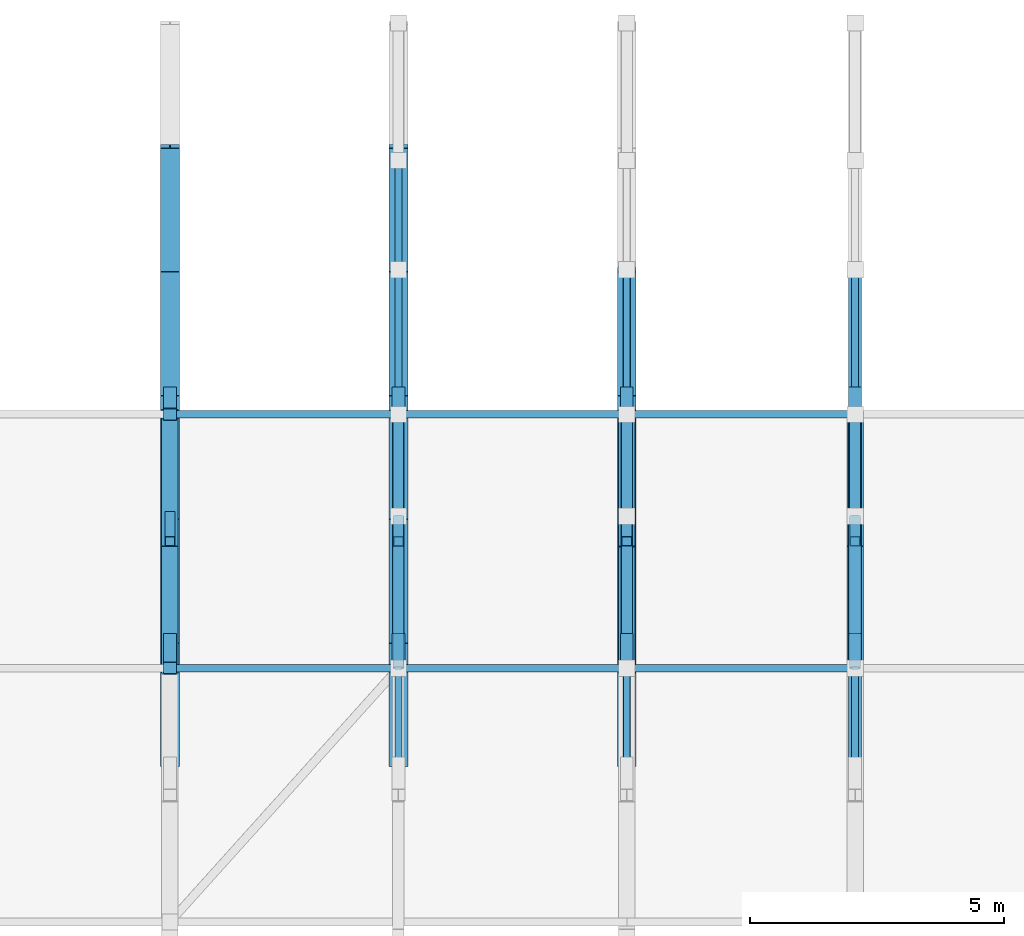
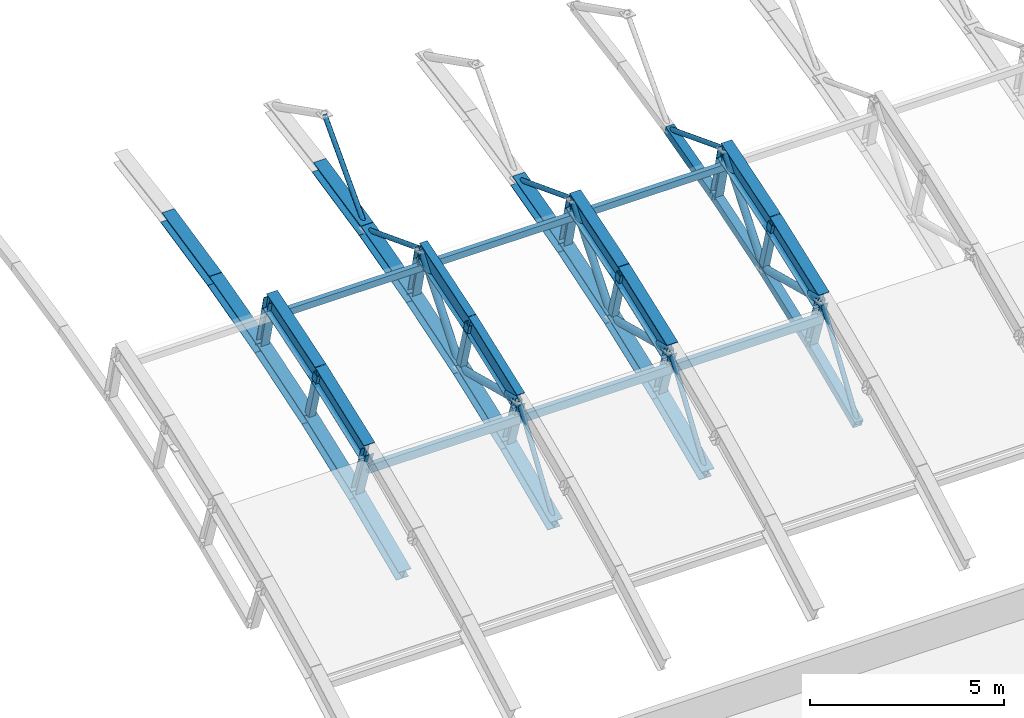
# One storey, part 32 of 103: 49 members, 8 beams.
"""IFC4 building model written with IfcOpenShell, lengths in metres."""

from ifc_helpers import new_model, si_unit, direction, frame, origin, origin_2d, place, context, subcontext, project, spatial, hollow_rectangle, hollow_circle, i_section, extrude, material, material_profile, profile_set, type_object, element, save


model = new_model("IFC4")

# Units and contexts
model_context = context("Model", 3, precision=1e-05, world=origin(), true_north=direction((0.0, 1.0)))
body_context = subcontext(model_context, "Body", "Model", "MODEL_VIEW")
ifc_project = project(units=[si_unit("LENGTHUNIT", "METRE"), si_unit("AREAUNIT", "SQUARE_METRE"), si_unit("VOLUMEUNIT", "CUBIC_METRE"), si_unit("PLANEANGLEUNIT", "RADIAN"), si_unit("MASSUNIT", "GRAM", prefix="KILO")], contexts=[model_context])

# Site, building, storey
site_placement = place(None, origin())
site = spatial("IfcSite", under=ifc_project, at=site_placement, CompositionType="ELEMENT")
building_placement = place(site_placement, origin())
building = spatial("IfcBuilding", under=site, at=building_placement, Name="Cazmaro Siding Exhibition Halls", CompositionType="ELEMENT")
storey_placement = place(building_placement, frame((0.0, 0.0, 16.5)))
storey = spatial("IfcBuildingStorey", under=building, at=storey_placement, Name="L03", CompositionType="ELEMENT", Elevation=16.5)

# Beams
ifc_material_1 = material(Name="Steel ASTM A992 Grade 50", Category="steel")
ifc_material_profile_1 = material_profile(ifc_material_1, i_section(OverallWidth=0.327880859375, OverallDepth=0.626953125, WebThickness=0.01708984375, FlangeThickness=0.028076171875, at=origin_2d()), Name="W24X146")
ifc_profile_set_1 = profile_set([ifc_material_profile_1], Name="Steel ASTM A992 Grade 50")
beam_type_1 = type_object("IfcBeamType", Name="AR-01", PredefinedType="USERDEFINED", material=ifc_profile_set_1)
beam_1_placement = place(storey_placement, frame((58.5, 74.0, 3.1220703125), z_axis=(0.0, 0.936509460339, 0.350642311615), x_axis=(-1.0, 0.0, 0.0)))
element("IfcBeam", 1, at=beam_1_placement, inside=storey, type_object=beam_type_1, Name="Space frame barrel vault arched rib AR-01 BM-0611", ObjectType="ARCHED RIB", PredefinedType="USERDEFINED", context=body_context, shape_type="SweptSolid", body=[
    extrude(i_section(OverallWidth=0.327880859375, OverallDepth=0.626953125, WebThickness=0.01708984375, FlangeThickness=0.028076171875, at=origin_2d()), origin(), (0.0, 0.0, 1.0), 2.66943359375),
])
beam_2_placement = place(storey_placement, frame((58.5, 76.5, 4.05810546875), z_axis=(0.0, 0.952769241759, 0.303695195811), x_axis=(-1.0, 0.0, 0.0)))
element("IfcBeam", 2, at=beam_2_placement, inside=storey, type_object=beam_type_1, Name="Space frame barrel vault arched rib AR-01 BM-0612", ObjectType="ARCHED RIB", PredefinedType="USERDEFINED", context=body_context, shape_type="SweptSolid", body=[
    extrude(i_section(OverallWidth=0.327880859375, OverallDepth=0.626953125, WebThickness=0.01708984375, FlangeThickness=0.028076171875, at=origin_2d()), origin(), (0.0, 0.0, 1.0), 2.6240234375),
])
ifc_material_2 = material(Name="Steel ASTM A992 Grade 50", Category="steel")
ifc_material_profile_2 = material_profile(ifc_material_2, i_section(OverallWidth=0.324951171875, OverallDepth=0.612060546875, WebThickness=0.012939453125, FlangeThickness=0.01904296875, at=origin_2d()), Name="W24X104")
ifc_profile_set_2 = profile_set([ifc_material_profile_2], Name="Steel ASTM A992 Grade 50")
beam_type_2 = type_object("IfcBeamType", Name="AR-02", PredefinedType="USERDEFINED", material=ifc_profile_set_2)
beam_3_placement = place(storey_placement, frame((49.5, 74.0, 3.1220703125), z_axis=(0.0, 0.936509460339, 0.350642311615), x_axis=(-1.0, 0.0, 0.0)))
element("IfcBeam", 3, at=beam_3_placement, inside=storey, type_object=beam_type_2, Name="Space frame barrel vault arched rib AR-02 BM-0563", ObjectType="ARCHED RIB", PredefinedType="USERDEFINED", context=body_context, shape_type="SweptSolid", body=[
    extrude(i_section(OverallWidth=0.324951171875, OverallDepth=0.612060546875, WebThickness=0.012939453125, FlangeThickness=0.01904296875, at=origin_2d()), origin(), (0.0, 0.0, 1.0), 2.66943359375),
])
beam_4_placement = place(storey_placement, frame((49.5, 76.5, 4.05810546875), z_axis=(0.0, 0.952769241759, 0.303695195811), x_axis=(-1.0, 0.0, 0.0)))
element("IfcBeam", 4, at=beam_4_placement, inside=storey, type_object=beam_type_2, Name="Space frame barrel vault arched rib AR-02 BM-0564", ObjectType="ARCHED RIB", PredefinedType="USERDEFINED", context=body_context, shape_type="SweptSolid", body=[
    extrude(i_section(OverallWidth=0.324951171875, OverallDepth=0.612060546875, WebThickness=0.012939453125, FlangeThickness=0.01904296875, at=origin_2d()), origin(), (0.0, 0.0, 1.0), 2.6240234375),
])
beam_5_placement = place(storey_placement, frame((63.0, 74.0, 3.1220703125), z_axis=(0.0, 0.936509460339, 0.350642311615), x_axis=(-1.0, 0.0, 0.0)))
element("IfcBeam", 5, at=beam_5_placement, inside=storey, type_object=beam_type_2, Name="Space frame barrel vault arched rib AR-02 BM-0635", ObjectType="ARCHED RIB", PredefinedType="USERDEFINED", context=body_context, shape_type="SweptSolid", body=[
    extrude(i_section(OverallWidth=0.324951171875, OverallDepth=0.612060546875, WebThickness=0.012939453125, FlangeThickness=0.01904296875, at=origin_2d()), origin(), (0.0, 0.0, 1.0), 2.66943359375),
])
beam_6_placement = place(storey_placement, frame((63.0, 76.5, 4.05810546875), z_axis=(0.0, 0.952769241759, 0.303695195811), x_axis=(-1.0, 0.0, 0.0)))
element("IfcBeam", 6, at=beam_6_placement, inside=storey, type_object=beam_type_2, Name="Space frame barrel vault arched rib AR-02 BM-0636", ObjectType="ARCHED RIB", PredefinedType="USERDEFINED", context=body_context, shape_type="SweptSolid", body=[
    extrude(i_section(OverallWidth=0.324951171875, OverallDepth=0.612060546875, WebThickness=0.012939453125, FlangeThickness=0.01904296875, at=origin_2d()), origin(), (0.0, 0.0, 1.0), 2.6240234375),
])
ifc_material_3 = material(Name="Steel ASTM A992 Grade 50", Category="steel")
ifc_material_profile_3 = material_profile(ifc_material_3, i_section(OverallWidth=0.22900390625, OverallDepth=0.612060546875, WebThickness=0.011962890625, FlangeThickness=0.02001953125, at=origin_2d()), Name="W24X84")
ifc_profile_set_3 = profile_set([ifc_material_profile_3], Name="Steel ASTM A992 Grade 50")
beam_type_3 = type_object("IfcBeamType", Name="AR-03", PredefinedType="USERDEFINED", material=ifc_profile_set_3)
beam_7_placement = place(storey_placement, frame((54.0, 74.0, 3.1220703125), z_axis=(0.0, 0.936509460339, 0.350642311615), x_axis=(-1.0, 0.0, 0.0)))
element("IfcBeam", 7, at=beam_7_placement, inside=storey, type_object=beam_type_3, Name="Space frame barrel vault arched rib AR-03 BM-0587", ObjectType="ARCHED RIB", PredefinedType="USERDEFINED", context=body_context, shape_type="SweptSolid", body=[
    extrude(i_section(OverallWidth=0.22900390625, OverallDepth=0.612060546875, WebThickness=0.011962890625, FlangeThickness=0.02001953125, at=origin_2d()), origin(), (0.0, 0.0, 1.0), 2.66943359375),
])
beam_8_placement = place(storey_placement, frame((54.0, 76.5, 4.05810546875), z_axis=(0.0, 0.952769241759, 0.303695195811), x_axis=(-1.0, 0.0, 0.0)))
element("IfcBeam", 8, at=beam_8_placement, inside=storey, type_object=beam_type_3, Name="Space frame barrel vault arched rib AR-03 BM-0588", ObjectType="ARCHED RIB", PredefinedType="USERDEFINED", context=body_context, shape_type="SweptSolid", body=[
    extrude(i_section(OverallWidth=0.22900390625, OverallDepth=0.612060546875, WebThickness=0.011962890625, FlangeThickness=0.02001953125, at=origin_2d()), origin(), (0.0, 0.0, 1.0), 2.6240234375),
])

# Members
ifc_material_4 = material(Name="Steel ASTM A500 Grade C", Category="steel")
ifc_material_profile_4 = material_profile(ifc_material_4, hollow_rectangle(XDim=0.152099609375, YDim=0.202880859375, WallThickness=0.011962890625, at=origin_2d()), Name="HSS8X6X1/2")
ifc_profile_set_4 = profile_set([ifc_material_profile_4], Name="Steel ASTM A500 Grade C")
member_type_1 = type_object("IfcMemberType", Name="RP-01", PredefinedType="PURLIN", material=ifc_profile_set_4)
for number, where, z_axis, x_axis, name in (
    (9, (49.5, 79.0, 4.31494140625), (1.0, 0.0, 0.0), (0.0, 1.0, 0.0), "Space frame barrel vault purlin RP-01 MEM-1977"),
    (10, (54.0, 79.0, 4.31494140625), (1.0, 0.0, 0.0), (0.0, 1.0, 0.0), "Space frame barrel vault purlin RP-01 MEM-1994"),
    (11, (58.5, 79.0, 4.31494140625), (1.0, 0.0, 0.0), (0.0, 1.0, 0.0), "Space frame barrel vault purlin RP-01 MEM-2005"),
):
    element("IfcMember", number, at=place(storey_placement, frame(where, z_axis=z_axis, x_axis=x_axis)), inside=storey, type_object=member_type_1, Name=name, PredefinedType="PURLIN", context=body_context, shape_type="SweptSolid", body=[
        extrude(hollow_rectangle(XDim=0.152099609375, YDim=0.202880859375, WallThickness=0.011962890625, at=origin_2d()), origin(), (0.0, 0.0, 1.0), 4.5),
    ])
ifc_material_5 = material(Name="Steel ASTM A500 Grade C", Category="steel")
ifc_material_profile_5 = material_profile(ifc_material_5, hollow_rectangle(XDim=0.152099609375, YDim=0.25390625, WallThickness=0.011962890625, at=origin_2d()), Name="HSS10X6X1/2")
ifc_profile_set_5 = profile_set([ifc_material_profile_5], Name="Steel ASTM A500 Grade C")
member_type_2 = type_object("IfcMemberType", Name="RP-04", PredefinedType="PURLIN", material=ifc_profile_set_5)
for number, where, z_axis, x_axis, name in (
    (12, (49.5, 74.0, 2.58203125), (1.0, 0.0, 0.0), (0.0, 1.0, 0.0), "Space frame barrel vault purlin RP-04 MEM-1976"),
    (13, (54.0, 74.0, 2.58203125), (1.0, 0.0, 0.0), (0.0, 1.0, 0.0), "Space frame barrel vault purlin RP-04 MEM-1993"),
    (14, (58.5, 74.0, 2.58203125), (1.0, 0.0, 0.0), (0.0, 1.0, 0.0), "Space frame barrel vault purlin RP-04 MEM-2004"),
):
    element("IfcMember", number, at=place(storey_placement, frame(where, z_axis=z_axis, x_axis=x_axis)), inside=storey, type_object=member_type_2, Name=name, PredefinedType="PURLIN", context=body_context, shape_type="SweptSolid", body=[
        extrude(hollow_rectangle(XDim=0.152099609375, YDim=0.25390625, WallThickness=0.011962890625, at=origin_2d()), origin(), (0.0, 0.0, 1.0), 4.5),
    ])
ifc_material_6 = material(Name="Steel ASTM A500 Grade C", Category="steel")
ifc_material_profile_6 = material_profile(ifc_material_6, hollow_rectangle(XDim=0.25390625, YDim=0.25390625, WallThickness=0.014892578125, at=origin_2d()), Name="HSS10X10X5/8")
ifc_profile_set_6 = profile_set([ifc_material_profile_6], Name="Steel ASTM A500 Grade C")
member_type_3 = type_object("IfcMemberType", Name="TC-01", PredefinedType="CHORD", material=ifc_profile_set_6)
member_1_placement = place(storey_placement, frame((63.0, 72.131103515625, 0.37890625), z_axis=(0.0, 0.917689003843, 0.397299499403), x_axis=(-1.0, 0.0, 0.0)))
element("IfcMember", 15, at=member_1_placement, inside=storey, type_object=member_type_3, Name="Space frame barrel vault bottom chord TC-01 MEM-0243", PredefinedType="CHORD", context=body_context, shape_type="SweptSolid", body=[
    extrude(hollow_rectangle(XDim=0.25390625, YDim=0.25390625, WallThickness=0.014892578125, at=origin_2d()), origin(), (0.0, 0.0, 1.0), 2.64794921875),
])
member_2_placement = place(storey_placement, frame((63.0, 74.56103515625, 1.430908203125), z_axis=(0.0, 0.936588022869, 0.350432412053), x_axis=(-1.0, 0.0, 0.0)))
element("IfcMember", 16, at=member_2_placement, inside=storey, type_object=member_type_3, Name="Space frame barrel vault bottom chord TC-01 MEM-0245", PredefinedType="CHORD", context=body_context, shape_type="SweptSolid", body=[
    extrude(hollow_rectangle(XDim=0.25390625, YDim=0.25390625, WallThickness=0.014892578125, at=origin_2d()), origin(), (0.0, 0.0, 1.0), 2.594482421875),
])
member_3_placement = place(storey_placement, frame((63.0, 76.990966796875, 2.340087890625), z_axis=(0.0, 0.952692842525, 0.303934775573), x_axis=(-1.0, 0.0, 0.0)))
element("IfcMember", 17, at=member_3_placement, inside=storey, type_object=member_type_3, Name="Space frame barrel vault bottom chord TC-01 MEM-0247", PredefinedType="CHORD", context=body_context, shape_type="SweptSolid", body=[
    extrude(hollow_rectangle(XDim=0.25390625, YDim=0.25390625, WallThickness=0.014892578125, at=origin_2d()), origin(), (0.0, 0.0, 1.0), 2.549560546875),
])
member_4_placement = place(storey_placement, frame((63.0, 79.419921875, 3.114990234375), z_axis=(0.0, 0.966437683387, 0.256901156343), x_axis=(-1.0, 0.0, 0.0)))
element("IfcMember", 18, at=member_4_placement, inside=storey, type_object=member_type_3, Name="Space frame barrel vault bottom chord TC-01 MEM-0249", PredefinedType="CHORD", context=body_context, shape_type="SweptSolid", body=[
    extrude(hollow_rectangle(XDim=0.25390625, YDim=0.25390625, WallThickness=0.014892578125, at=origin_2d()), origin(), (0.0, 0.0, 1.0), 2.5146484375),
])
ifc_material_7 = material(Name="Steel ASTM A992 Grade 50", Category="steel")
ifc_material_profile_7 = material_profile(ifc_material_7, i_section(OverallWidth=0.37109375, OverallDepth=0.364013671875, WebThickness=0.012939453125, FlangeThickness=0.02197265625, at=origin_2d()), Name="W14X109")
ifc_profile_set_7 = profile_set([ifc_material_profile_7], Name="Steel ASTM A992 Grade 50")
member_type_4 = type_object("IfcMemberType", Name="TC-06", PredefinedType="CHORD", material=ifc_profile_set_7)
member_5_placement = place(storey_placement, frame((49.5, 72.131103515625, 0.37890625), z_axis=(0.0, 0.917689003843, 0.397299499403), x_axis=(-1.0, 0.0, 0.0)))
element("IfcMember", 19, at=member_5_placement, inside=storey, type_object=member_type_4, Name="Space frame barrel vault bottom chord TC-06 MEM-0051", PredefinedType="CHORD", context=body_context, shape_type="SweptSolid", body=[
    extrude(i_section(OverallWidth=0.37109375, OverallDepth=0.364013671875, WebThickness=0.012939453125, FlangeThickness=0.02197265625, at=origin_2d()), origin(), (0.0, 0.0, 1.0), 2.64794921875),
])
member_6_placement = place(storey_placement, frame((49.5, 74.56103515625, 1.430908203125), z_axis=(0.0, 0.936588022869, 0.350432412053), x_axis=(-1.0, 0.0, 0.0)))
element("IfcMember", 20, at=member_6_placement, inside=storey, type_object=member_type_4, Name="Space frame barrel vault bottom chord TC-06 MEM-0052", PredefinedType="CHORD", context=body_context, shape_type="SweptSolid", body=[
    extrude(i_section(OverallWidth=0.37109375, OverallDepth=0.364013671875, WebThickness=0.012939453125, FlangeThickness=0.02197265625, at=origin_2d()), origin(), (0.0, 0.0, 1.0), 2.594482421875),
])
member_7_placement = place(storey_placement, frame((49.5, 76.990966796875, 2.340087890625), z_axis=(0.0, 0.952692842525, 0.303934775573), x_axis=(-1.0, 0.0, 0.0)))
element("IfcMember", 21, at=member_7_placement, inside=storey, type_object=member_type_4, Name="Space frame barrel vault bottom chord TC-06 MEM-0053", PredefinedType="CHORD", context=body_context, shape_type="SweptSolid", body=[
    extrude(i_section(OverallWidth=0.37109375, OverallDepth=0.364013671875, WebThickness=0.012939453125, FlangeThickness=0.02197265625, at=origin_2d()), origin(), (0.0, 0.0, 1.0), 2.549560546875),
])
member_8_placement = place(storey_placement, frame((49.5, 79.419921875, 3.114990234375), z_axis=(0.0, 0.966437683387, 0.256901156343), x_axis=(-1.0, 0.0, 0.0)))
element("IfcMember", 22, at=member_8_placement, inside=storey, type_object=member_type_4, Name="Space frame barrel vault bottom chord TC-06 MEM-0054", PredefinedType="CHORD", context=body_context, shape_type="SweptSolid", body=[
    extrude(i_section(OverallWidth=0.37109375, OverallDepth=0.364013671875, WebThickness=0.012939453125, FlangeThickness=0.02197265625, at=origin_2d()), origin(), (0.0, 0.0, 1.0), 2.5146484375),
])
member_9_placement = place(storey_placement, frame((49.5, 81.85009765625, 3.760986328125), z_axis=(0.0, 0.977697351532, 0.210018782033), x_axis=(-1.0, 0.0, 0.0)))
element("IfcMember", 23, at=member_9_placement, inside=storey, type_object=member_type_4, Name="Space frame barrel vault bottom chord TC-06 MEM-0055", PredefinedType="CHORD", context=body_context, shape_type="SweptSolid", body=[
    extrude(i_section(OverallWidth=0.37109375, OverallDepth=0.364013671875, WebThickness=0.012939453125, FlangeThickness=0.02197265625, at=origin_2d()), origin(), (0.0, 0.0, 1.0), 2.4853515625),
])
member_10_placement = place(storey_placement, frame((54.0, 72.131103515625, 0.37890625), z_axis=(0.0, 0.917689003843, 0.397299499403), x_axis=(-1.0, 0.0, 0.0)))
element("IfcMember", 24, at=member_10_placement, inside=storey, type_object=member_type_4, Name="Space frame barrel vault bottom chord TC-06 MEM-0101", PredefinedType="CHORD", context=body_context, shape_type="SweptSolid", body=[
    extrude(i_section(OverallWidth=0.37109375, OverallDepth=0.364013671875, WebThickness=0.012939453125, FlangeThickness=0.02197265625, at=origin_2d()), origin(), (0.0, 0.0, 1.0), 2.64794921875),
])
member_11_placement = place(storey_placement, frame((54.0, 74.56103515625, 1.430908203125), z_axis=(0.0, 0.936588022869, 0.350432412053), x_axis=(-1.0, 0.0, 0.0)))
element("IfcMember", 25, at=member_11_placement, inside=storey, type_object=member_type_4, Name="Space frame barrel vault bottom chord TC-06 MEM-0103", PredefinedType="CHORD", context=body_context, shape_type="SweptSolid", body=[
    extrude(i_section(OverallWidth=0.37109375, OverallDepth=0.364013671875, WebThickness=0.012939453125, FlangeThickness=0.02197265625, at=origin_2d()), origin(), (0.0, 0.0, 1.0), 2.594482421875),
])
member_12_placement = place(storey_placement, frame((54.0, 76.990966796875, 2.340087890625), z_axis=(0.0, 0.952692842525, 0.303934775573), x_axis=(-1.0, 0.0, 0.0)))
element("IfcMember", 26, at=member_12_placement, inside=storey, type_object=member_type_4, Name="Space frame barrel vault bottom chord TC-06 MEM-0105", PredefinedType="CHORD", context=body_context, shape_type="SweptSolid", body=[
    extrude(i_section(OverallWidth=0.37109375, OverallDepth=0.364013671875, WebThickness=0.012939453125, FlangeThickness=0.02197265625, at=origin_2d()), origin(), (0.0, 0.0, 1.0), 2.549560546875),
])
member_13_placement = place(storey_placement, frame((54.0, 79.419921875, 3.114990234375), z_axis=(0.0, 0.966437683387, 0.256901156343), x_axis=(-1.0, 0.0, 0.0)))
element("IfcMember", 27, at=member_13_placement, inside=storey, type_object=member_type_4, Name="Space frame barrel vault bottom chord TC-06 MEM-0107", PredefinedType="CHORD", context=body_context, shape_type="SweptSolid", body=[
    extrude(i_section(OverallWidth=0.37109375, OverallDepth=0.364013671875, WebThickness=0.012939453125, FlangeThickness=0.02197265625, at=origin_2d()), origin(), (0.0, 0.0, 1.0), 2.5146484375),
])
member_14_placement = place(storey_placement, frame((54.0, 81.85009765625, 3.760986328125), z_axis=(0.0, 0.977697351532, 0.210018782033), x_axis=(-1.0, 0.0, 0.0)))
element("IfcMember", 28, at=member_14_placement, inside=storey, type_object=member_type_4, Name="Space frame barrel vault bottom chord TC-06 MEM-0109", PredefinedType="CHORD", context=body_context, shape_type="SweptSolid", body=[
    extrude(i_section(OverallWidth=0.37109375, OverallDepth=0.364013671875, WebThickness=0.012939453125, FlangeThickness=0.02197265625, at=origin_2d()), origin(), (0.0, 0.0, 1.0), 2.4853515625),
])
member_15_placement = place(storey_placement, frame((58.5, 72.131103515625, 0.37890625), z_axis=(0.0, 0.917689003843, 0.397299499403), x_axis=(-1.0, 0.0, 0.0)))
element("IfcMember", 29, at=member_15_placement, inside=storey, type_object=member_type_4, Name="Space frame barrel vault bottom chord TC-06 MEM-0172", PredefinedType="CHORD", context=body_context, shape_type="SweptSolid", body=[
    extrude(i_section(OverallWidth=0.37109375, OverallDepth=0.364013671875, WebThickness=0.012939453125, FlangeThickness=0.02197265625, at=origin_2d()), origin(), (0.0, 0.0, 1.0), 2.64794921875),
])
member_16_placement = place(storey_placement, frame((58.5, 74.56103515625, 1.430908203125), z_axis=(0.0, 0.936588022869, 0.350432412053), x_axis=(-1.0, 0.0, 0.0)))
element("IfcMember", 30, at=member_16_placement, inside=storey, type_object=member_type_4, Name="Space frame barrel vault bottom chord TC-06 MEM-0174", PredefinedType="CHORD", context=body_context, shape_type="SweptSolid", body=[
    extrude(i_section(OverallWidth=0.37109375, OverallDepth=0.364013671875, WebThickness=0.012939453125, FlangeThickness=0.02197265625, at=origin_2d()), origin(), (0.0, 0.0, 1.0), 2.594482421875),
])
member_17_placement = place(storey_placement, frame((58.5, 76.990966796875, 2.340087890625), z_axis=(0.0, 0.952692842525, 0.303934775573), x_axis=(-1.0, 0.0, 0.0)))
element("IfcMember", 31, at=member_17_placement, inside=storey, type_object=member_type_4, Name="Space frame barrel vault bottom chord TC-06 MEM-0176", PredefinedType="CHORD", context=body_context, shape_type="SweptSolid", body=[
    extrude(i_section(OverallWidth=0.37109375, OverallDepth=0.364013671875, WebThickness=0.012939453125, FlangeThickness=0.02197265625, at=origin_2d()), origin(), (0.0, 0.0, 1.0), 2.549560546875),
])
member_18_placement = place(storey_placement, frame((58.5, 79.419921875, 3.114990234375), z_axis=(0.0, 0.966437683387, 0.256901156343), x_axis=(-1.0, 0.0, 0.0)))
element("IfcMember", 32, at=member_18_placement, inside=storey, type_object=member_type_4, Name="Space frame barrel vault bottom chord TC-06 MEM-0178", PredefinedType="CHORD", context=body_context, shape_type="SweptSolid", body=[
    extrude(i_section(OverallWidth=0.37109375, OverallDepth=0.364013671875, WebThickness=0.012939453125, FlangeThickness=0.02197265625, at=origin_2d()), origin(), (0.0, 0.0, 1.0), 2.5146484375),
])
ifc_material_8 = material(Name="Steel ASTM A500 Grade C", Category="steel")
ifc_material_profile_8 = material_profile(ifc_material_8, hollow_rectangle(XDim=0.202880859375, YDim=0.202880859375, WallThickness=0.011962890625, at=origin_2d()), Name="HSS8X8X1/2")
ifc_profile_set_8 = profile_set([ifc_material_profile_8], Name="Steel ASTM A500 Grade C")
member_type_5 = type_object("IfcMemberType", Name="TP-01", PredefinedType="POST", material=ifc_profile_set_8)
for number, where, z_axis, x_axis, name in (
    (33, (49.5, 76.990966796875, 2.340087890625), (0.0, -0.274775266308, 0.961508477875), (1.0, 0.0, 0.0), "Space frame barrel vault post TP-01 MEM-0076"),
    (34, (54.0, 76.990966796875, 2.340087890625), (0.0, -0.274775266308, 0.961508477875), (1.0, 0.0, 0.0), "Space frame barrel vault post TP-01 MEM-0147"),
    (35, (58.5, 76.990966796875, 2.340087890625), (0.0, -0.274775266308, 0.961508477875), (1.0, 0.0, 0.0), "Space frame barrel vault post TP-01 MEM-0218"),
    (36, (63.0, 76.990966796875, 2.340087890625), (0.0, -0.274775266308, 0.961508477875), (1.0, 0.0, 0.0), "Space frame barrel vault post TP-01 MEM-0289"),
):
    element("IfcMember", number, at=place(storey_placement, frame(where, z_axis=z_axis, x_axis=x_axis)), inside=storey, type_object=member_type_5, Name=name, PredefinedType="POST", context=body_context, shape_type="SweptSolid", body=[
        extrude(hollow_rectangle(XDim=0.202880859375, YDim=0.202880859375, WallThickness=0.011962890625, at=origin_2d()), origin(), (0.0, 0.0, 1.0), 1.786865234375),
    ])
ifc_material_9 = material(Name="Steel ASTM A992 Grade 50", Category="steel")
ifc_material_profile_9 = material_profile(ifc_material_9, i_section(OverallWidth=0.25390625, OverallDepth=0.25390625, WebThickness=0.009033203125, FlangeThickness=0.013916015625, at=origin_2d()), Name="W10X49")
ifc_profile_set_9 = profile_set([ifc_material_profile_9], Name="Steel ASTM A992 Grade 50")
member_type_6 = type_object("IfcMemberType", Name="TP-04", PredefinedType="POST", material=ifc_profile_set_9)
member_19_placement = place(storey_placement, frame((49.5, 74.56103515625, 1.430908203125), z_axis=(0.0, -0.314870949103, 0.949134492794), x_axis=(1.0, 0.0, 0.0)))
element("IfcMember", 37, at=member_19_placement, inside=storey, type_object=member_type_6, Name="Space frame barrel vault post TP-04 MEM-0075", PredefinedType="POST", context=body_context, shape_type="SweptSolid", body=[
    extrude(i_section(OverallWidth=0.25390625, OverallDepth=0.25390625, WebThickness=0.009033203125, FlangeThickness=0.013916015625, at=origin_2d()), origin(), (0.0, 0.0, 1.0), 1.78173828125),
])
member_20_placement = place(storey_placement, frame((49.5, 79.419921875, 3.114990234375), z_axis=(0.0, -0.234600533729, 0.972091862724), x_axis=(1.0, 0.0, 0.0)))
element("IfcMember", 38, at=member_20_placement, inside=storey, type_object=member_type_6, Name="Space frame barrel vault post TP-04 MEM-0077", PredefinedType="POST", context=body_context, shape_type="SweptSolid", body=[
    extrude(i_section(OverallWidth=0.25390625, OverallDepth=0.25390625, WebThickness=0.009033203125, FlangeThickness=0.013916015625, at=origin_2d()), origin(), (0.0, 0.0, 1.0), 1.7900390625),
])
member_21_placement = place(storey_placement, frame((54.0, 74.56103515625, 1.430908203125), z_axis=(0.0, -0.314870949103, 0.949134492794), x_axis=(1.0, 0.0, 0.0)))
element("IfcMember", 39, at=member_21_placement, inside=storey, type_object=member_type_6, Name="Space frame barrel vault post TP-04 MEM-0146", PredefinedType="POST", context=body_context, shape_type="SweptSolid", body=[
    extrude(i_section(OverallWidth=0.25390625, OverallDepth=0.25390625, WebThickness=0.009033203125, FlangeThickness=0.013916015625, at=origin_2d()), origin(), (0.0, 0.0, 1.0), 1.78173828125),
])
member_22_placement = place(storey_placement, frame((54.0, 79.419921875, 3.114990234375), z_axis=(0.0, -0.234600533729, 0.972091862724), x_axis=(1.0, 0.0, 0.0)))
element("IfcMember", 40, at=member_22_placement, inside=storey, type_object=member_type_6, Name="Space frame barrel vault post TP-04 MEM-0148", PredefinedType="POST", context=body_context, shape_type="SweptSolid", body=[
    extrude(i_section(OverallWidth=0.25390625, OverallDepth=0.25390625, WebThickness=0.009033203125, FlangeThickness=0.013916015625, at=origin_2d()), origin(), (0.0, 0.0, 1.0), 1.7900390625),
])
member_23_placement = place(storey_placement, frame((58.5, 74.56103515625, 1.430908203125), z_axis=(0.0, -0.314870949103, 0.949134492794), x_axis=(1.0, 0.0, 0.0)))
element("IfcMember", 41, at=member_23_placement, inside=storey, type_object=member_type_6, Name="Space frame barrel vault post TP-04 MEM-0217", PredefinedType="POST", context=body_context, shape_type="SweptSolid", body=[
    extrude(i_section(OverallWidth=0.25390625, OverallDepth=0.25390625, WebThickness=0.009033203125, FlangeThickness=0.013916015625, at=origin_2d()), origin(), (0.0, 0.0, 1.0), 1.78173828125),
])
member_24_placement = place(storey_placement, frame((58.5, 79.419921875, 3.114990234375), z_axis=(0.0, -0.234600533729, 0.972091862724), x_axis=(1.0, 0.0, 0.0)))
element("IfcMember", 42, at=member_24_placement, inside=storey, type_object=member_type_6, Name="Space frame barrel vault post TP-04 MEM-0219", PredefinedType="POST", context=body_context, shape_type="SweptSolid", body=[
    extrude(i_section(OverallWidth=0.25390625, OverallDepth=0.25390625, WebThickness=0.009033203125, FlangeThickness=0.013916015625, at=origin_2d()), origin(), (0.0, 0.0, 1.0), 1.7900390625),
])
member_25_placement = place(storey_placement, frame((63.0, 74.56103515625, 1.430908203125), z_axis=(0.0, -0.314870949103, 0.949134492794), x_axis=(1.0, 0.0, 0.0)))
element("IfcMember", 43, at=member_25_placement, inside=storey, type_object=member_type_6, Name="Space frame barrel vault post TP-04 MEM-0288", PredefinedType="POST", context=body_context, shape_type="SweptSolid", body=[
    extrude(i_section(OverallWidth=0.25390625, OverallDepth=0.25390625, WebThickness=0.009033203125, FlangeThickness=0.013916015625, at=origin_2d()), origin(), (0.0, 0.0, 1.0), 1.78173828125),
])
member_26_placement = place(storey_placement, frame((63.0, 79.419921875, 3.114990234375), z_axis=(0.0, -0.234600533729, 0.972091862724), x_axis=(1.0, 0.0, 0.0)))
element("IfcMember", 44, at=member_26_placement, inside=storey, type_object=member_type_6, Name="Space frame barrel vault post TP-04 MEM-0290", PredefinedType="POST", context=body_context, shape_type="SweptSolid", body=[
    extrude(i_section(OverallWidth=0.25390625, OverallDepth=0.25390625, WebThickness=0.009033203125, FlangeThickness=0.013916015625, at=origin_2d()), origin(), (0.0, 0.0, 1.0), 1.7900390625),
])
ifc_material_10 = material(Name="Steel ASTM A500 Grade C", Category="steel")
ifc_material_profile_10 = material_profile(ifc_material_10, hollow_circle(Radius=0.109619140625, WallThickness=0.012939453125, at=origin_2d()), Name="PIPE8XS")
ifc_profile_set_10 = profile_set([ifc_material_profile_10], Name="Steel ASTM A500 Grade C")
member_type_7 = type_object("IfcMemberType", Name="WB-01", PredefinedType="BRACE", material=ifc_profile_set_10)
member_27_placement = place(storey_placement, frame((54.0, 74.0, 3.1220703125), z_axis=(0.0, 0.967480432857, -0.252945867802), x_axis=(-1.0, 0.0, 0.0)))
element("IfcMember", 45, at=member_27_placement, inside=storey, type_object=member_type_7, Name="Space frame barrel vault diagonal WB-01 MEM-0104", PredefinedType="BRACE", context=body_context, shape_type="SweptSolid", body=[
    extrude(hollow_circle(Radius=0.109619140625, WallThickness=0.012939453125, at=origin_2d()), origin(), (0.0, 0.0, 1.0), 3.091552734375),
])
member_28_placement = place(storey_placement, frame((54.0, 76.990966796875, 2.340087890625), z_axis=(0.0, 0.624149162907, 0.781305204412), x_axis=(-1.0, 0.0, 0.0)))
element("IfcMember", 46, at=member_28_placement, inside=storey, type_object=member_type_7, Name="Space frame barrel vault diagonal WB-01 MEM-0106", PredefinedType="BRACE", context=body_context, shape_type="SweptSolid", body=[
    extrude(hollow_circle(Radius=0.109619140625, WallThickness=0.012939453125, at=origin_2d()), origin(), (0.0, 0.0, 1.0), 3.21875),
])
member_29_placement = place(storey_placement, frame((58.5, 74.0, 3.1220703125), z_axis=(0.0, 0.967480432857, -0.252945867802), x_axis=(-1.0, 0.0, 0.0)))
element("IfcMember", 47, at=member_29_placement, inside=storey, type_object=member_type_7, Name="Space frame barrel vault diagonal WB-01 MEM-0175", PredefinedType="BRACE", context=body_context, shape_type="SweptSolid", body=[
    extrude(hollow_circle(Radius=0.109619140625, WallThickness=0.012939453125, at=origin_2d()), origin(), (0.0, 0.0, 1.0), 3.091552734375),
])
member_30_placement = place(storey_placement, frame((58.5, 76.990966796875, 2.340087890625), z_axis=(0.0, 0.624149162907, 0.781305204412), x_axis=(-1.0, 0.0, 0.0)))
element("IfcMember", 48, at=member_30_placement, inside=storey, type_object=member_type_7, Name="Space frame barrel vault diagonal WB-01 MEM-0177", PredefinedType="BRACE", context=body_context, shape_type="SweptSolid", body=[
    extrude(hollow_circle(Radius=0.109619140625, WallThickness=0.012939453125, at=origin_2d()), origin(), (0.0, 0.0, 1.0), 3.21875),
])
member_31_placement = place(storey_placement, frame((63.0, 74.0, 3.1220703125), z_axis=(0.0, 0.967480432857, -0.252945867802), x_axis=(-1.0, 0.0, 0.0)))
element("IfcMember", 49, at=member_31_placement, inside=storey, type_object=member_type_7, Name="Space frame barrel vault diagonal WB-01 MEM-0246", PredefinedType="BRACE", context=body_context, shape_type="SweptSolid", body=[
    extrude(hollow_circle(Radius=0.109619140625, WallThickness=0.012939453125, at=origin_2d()), origin(), (0.0, 0.0, 1.0), 3.091552734375),
])
member_32_placement = place(storey_placement, frame((63.0, 76.990966796875, 2.340087890625), z_axis=(0.0, 0.624149162907, 0.781305204412), x_axis=(-1.0, 0.0, 0.0)))
element("IfcMember", 50, at=member_32_placement, inside=storey, type_object=member_type_7, Name="Space frame barrel vault diagonal WB-01 MEM-0248", PredefinedType="BRACE", context=body_context, shape_type="SweptSolid", body=[
    extrude(hollow_circle(Radius=0.109619140625, WallThickness=0.012939453125, at=origin_2d()), origin(), (0.0, 0.0, 1.0), 3.21875),
])
ifc_material_11 = material(Name="Steel ASTM A500 Grade C", Category="steel")
ifc_material_profile_11 = material_profile(ifc_material_11, hollow_circle(Radius=0.070556640625, WallThickness=0.01904296875, at=origin_2d()), Name="PIPE5XXS")
ifc_profile_set_11 = profile_set([ifc_material_profile_11], Name="Steel ASTM A500 Grade C")
member_type_8 = type_object("IfcMemberType", Name="WB-07", PredefinedType="BRACE", material=ifc_profile_set_11)
member_33_placement = place(storey_placement, frame((54.0, 72.131103515625, 0.37890625), z_axis=(0.0, 0.563040090795, 0.826429583302), x_axis=(-1.0, 0.0, 0.0)))
element("IfcMember", 51, at=member_33_placement, inside=storey, type_object=member_type_8, Name="Space frame barrel vault diagonal WB-07 MEM-0102", PredefinedType="BRACE", context=body_context, shape_type="SweptSolid", body=[
    extrude(hollow_circle(Radius=0.070556640625, WallThickness=0.01904296875, at=origin_2d()), origin(), (0.0, 0.0, 1.0), 3.3193359375),
])
member_34_placement = place(storey_placement, frame((54.0, 79.0, 4.85498046875), z_axis=(0.0, 0.933586546586, -0.358352005761), x_axis=(-1.0, 0.0, 0.0)))
element("IfcMember", 52, at=member_34_placement, inside=storey, type_object=member_type_8, Name="Space frame barrel vault diagonal WB-07 MEM-0108", PredefinedType="BRACE", context=body_context, shape_type="SweptSolid", body=[
    extrude(hollow_circle(Radius=0.070556640625, WallThickness=0.01904296875, at=origin_2d()), origin(), (0.0, 0.0, 1.0), 3.052734375),
])
member_35_placement = place(storey_placement, frame((54.0, 81.85009765625, 3.760986328125), z_axis=(0.0, 0.683517575744, 0.729934054315), x_axis=(-1.0, 0.0, 0.0)))
element("IfcMember", 53, at=member_35_placement, inside=storey, type_object=member_type_8, Name="Space frame barrel vault diagonal WB-07 MEM-0110", PredefinedType="BRACE", context=body_context, shape_type="SweptSolid", body=[
    extrude(hollow_circle(Radius=0.070556640625, WallThickness=0.01904296875, at=origin_2d()), origin(), (0.0, 0.0, 1.0), 3.145263671875),
])
member_36_placement = place(storey_placement, frame((58.5, 72.131103515625, 0.37890625), z_axis=(0.0, 0.563040090795, 0.826429583302), x_axis=(-1.0, 0.0, 0.0)))
element("IfcMember", 54, at=member_36_placement, inside=storey, type_object=member_type_8, Name="Space frame barrel vault diagonal WB-07 MEM-0173", PredefinedType="BRACE", context=body_context, shape_type="SweptSolid", body=[
    extrude(hollow_circle(Radius=0.070556640625, WallThickness=0.01904296875, at=origin_2d()), origin(), (0.0, 0.0, 1.0), 3.3193359375),
])
member_37_placement = place(storey_placement, frame((58.5, 79.0, 4.85498046875), z_axis=(0.0, 0.933586546586, -0.358352005761), x_axis=(-1.0, 0.0, 0.0)))
element("IfcMember", 55, at=member_37_placement, inside=storey, type_object=member_type_8, Name="Space frame barrel vault diagonal WB-07 MEM-0179", PredefinedType="BRACE", context=body_context, shape_type="SweptSolid", body=[
    extrude(hollow_circle(Radius=0.070556640625, WallThickness=0.01904296875, at=origin_2d()), origin(), (0.0, 0.0, 1.0), 3.052734375),
])
member_38_placement = place(storey_placement, frame((63.0, 72.131103515625, 0.37890625), z_axis=(0.0, 0.563040090795, 0.826429583302), x_axis=(-1.0, 0.0, 0.0)))
element("IfcMember", 56, at=member_38_placement, inside=storey, type_object=member_type_8, Name="Space frame barrel vault diagonal WB-07 MEM-0244", PredefinedType="BRACE", context=body_context, shape_type="SweptSolid", body=[
    extrude(hollow_circle(Radius=0.070556640625, WallThickness=0.01904296875, at=origin_2d()), origin(), (0.0, 0.0, 1.0), 3.3193359375),
])
member_39_placement = place(storey_placement, frame((63.0, 79.0, 4.85498046875), z_axis=(0.0, 0.933586546586, -0.358352005761), x_axis=(-1.0, 0.0, 0.0)))
element("IfcMember", 57, at=member_39_placement, inside=storey, type_object=member_type_8, Name="Space frame barrel vault diagonal WB-07 MEM-0250", PredefinedType="BRACE", context=body_context, shape_type="SweptSolid", body=[
    extrude(hollow_circle(Radius=0.070556640625, WallThickness=0.01904296875, at=origin_2d()), origin(), (0.0, 0.0, 1.0), 3.052734375),
])

save(model, "model.ifc")
